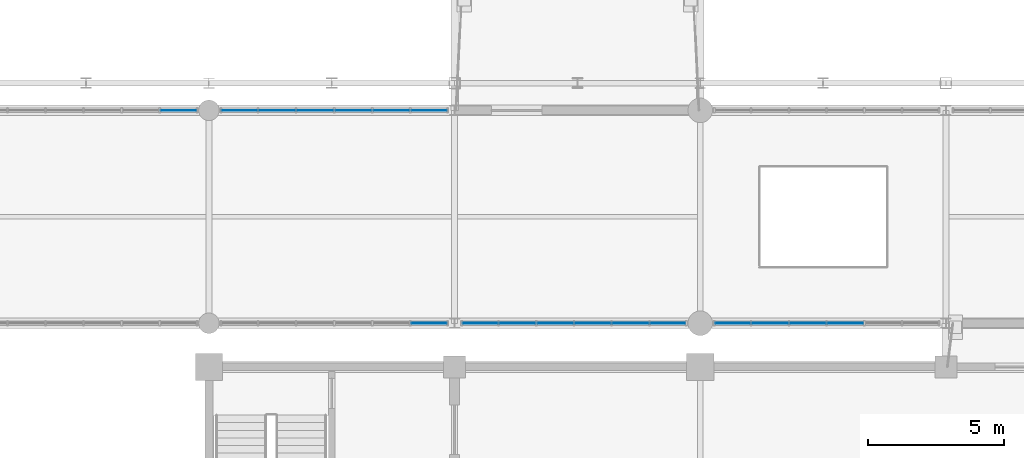
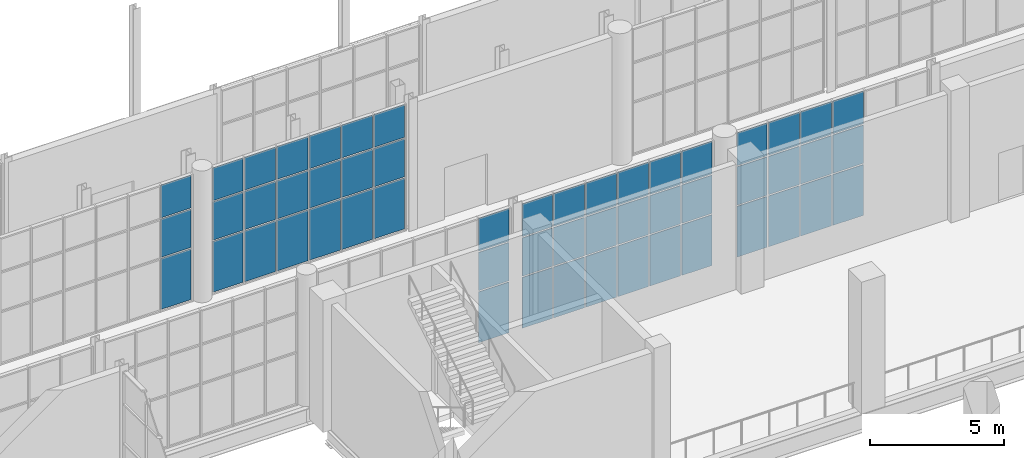
# One storey, part 98 of 159: 54 plates, 5 elements without a shape of their own.
"""IFC4 building model written with IfcOpenShell, lengths in metres."""

from ifc_helpers import new_model, si_unit, direction, frame, origin, origin_2d, place, context, subcontext, project, spatial, rectangle, extrude, material, layer, layer_set, type_object, element, aggregate, save


model = new_model("IFC4")

# Units and contexts
model_context = context("Model", 3, precision=1e-05, world=origin(), true_north=direction((0.0, 1.0)))
body_context = subcontext(model_context, "Body", "Model", "MODEL_VIEW")
ifc_project = project(units=[si_unit("LENGTHUNIT", "METRE"), si_unit("AREAUNIT", "SQUARE_METRE"), si_unit("VOLUMEUNIT", "CUBIC_METRE"), si_unit("PLANEANGLEUNIT", "RADIAN"), si_unit("MASSUNIT", "GRAM", prefix="KILO")], contexts=[model_context])

# Site, building, storey
site_placement = place(None, origin())
site = spatial("IfcSite", under=ifc_project, at=site_placement, CompositionType="ELEMENT")
building_placement = place(site_placement, origin())
building = spatial("IfcBuilding", under=site, at=building_placement, Name="Cazmaro Siding Exhibition Halls", CompositionType="ELEMENT")
storey_placement = place(building_placement, frame((0.0, 0.0, 6.0)))
storey = spatial("IfcBuildingStorey", under=building, at=storey_placement, Name="L01", CompositionType="ELEMENT", Elevation=6.0)

# Curtain wall, plates
ifc_material_1 = material(Name="Anodized Bronze Aluminum and Solar-Control Low-E Glazing", Category="aluminium")
ifc_layer_1 = layer(ifc_material_1, 0.179931640625)
ifc_layer_set_1 = layer_set([ifc_layer_1], Name="Anodized Bronze Aluminum and Solar-Control Low-E Glazing")
curtain_wall_type = type_object("IfcCurtainWallType", Name="CWS-01", PredefinedType="USERDEFINED", material=ifc_layer_set_1)
curtain_wall_1_placement = place(storey_placement, origin())
curtain_wall_1 = element("IfcCurtainWall", 1, at=curtain_wall_1_placement, inside=storey, type_object=curtain_wall_type, Name="Glazed Curtain Wall CWS-01 CW-159", ObjectType="GLAZED CURTAIN WALL", PredefinedType="USERDEFINED")
ifc_material_2 = material(Name="Solar-Control Low-E Double Insulating Glass", Category="glass")
ifc_layer_2 = layer(ifc_material_2, 0.02392578125)
ifc_layer_set_2 = layer_set([ifc_layer_2], Name="Solar-Control Low-E Double Insulating Glass")
plate_type = type_object("IfcPlateType", Name="CWP-01", PredefinedType="CURTAIN_PANEL", material=ifc_layer_set_2)
plate_1_placement = place(storey_placement, frame((70.880126953125, 63.0, 0.06005859375), z_axis=(0.0, 0.0, 1.0), x_axis=(-1.0, 0.0, 0.0)))
plate_1 = element("IfcPlate", 2, at=plate_1_placement, type_object=plate_type, Name="CWS-01 panel 1.1", PredefinedType="CURTAIN_PANEL", context=body_context, shape_type="SweptSolid", body=[
    extrude(rectangle(XDim=1.3037109375, YDim=0.02392578125, at=origin_2d()), origin(), (0.0, 0.0, 1.0), 2.31005859375),
])
plate_2_placement = place(storey_placement, frame((70.880126953125, 63.0, 2.43017578125), z_axis=(0.0, 0.0, 1.0), x_axis=(-1.0, 0.0, 0.0)))
plate_2 = element("IfcPlate", 3, at=plate_2_placement, type_object=plate_type, Name="CWS-01 panel 1.2", PredefinedType="CURTAIN_PANEL", context=body_context, shape_type="SweptSolid", body=[
    extrude(rectangle(XDim=1.3037109375, YDim=0.02392578125, at=origin_2d()), origin(), (0.0, 0.0, 1.0), 1.739990234375),
])
plate_3_placement = place(storey_placement, frame((70.880126953125, 63.0, 4.22998046875), z_axis=(0.0, 0.0, 1.0), x_axis=(-1.0, 0.0, 0.0)))
plate_3 = element("IfcPlate", 4, at=plate_3_placement, type_object=plate_type, Name="CWS-01 panel 1.3", PredefinedType="CURTAIN_PANEL", context=body_context, shape_type="SweptSolid", body=[
    extrude(rectangle(XDim=1.3037109375, YDim=0.02392578125, at=origin_2d()), origin(), (0.0, 0.0, 1.0), 1.489990234375),
])
aggregate(curtain_wall_1, [plate_1, plate_2, plate_3])

curtain_wall_2_placement = place(storey_placement, origin())
curtain_wall_2 = element("IfcCurtainWall", 5, at=curtain_wall_2_placement, inside=storey, type_object=curtain_wall_type, Name="Glazed Curtain Wall CWS-01 CW-163", ObjectType="GLAZED CURTAIN WALL", PredefinedType="USERDEFINED")
plate_4_placement = place(storey_placement, frame((80.05810546875, 55.199951171875, 0.06005859375), z_axis=(0.0, 0.0, 1.0), x_axis=(1.0, 0.0, 0.0)))
plate_4 = element("IfcPlate", 6, at=plate_4_placement, type_object=plate_type, Name="CWS-01 panel 6.1", PredefinedType="CURTAIN_PANEL", context=body_context, shape_type="SweptSolid", body=[
    extrude(rectangle(XDim=1.3037109375, YDim=0.02392578125, at=origin_2d()), origin(), (0.0, 0.0, 1.0), 2.31005859375),
])
plate_5_placement = place(storey_placement, frame((80.05810546875, 55.199951171875, 2.43017578125), z_axis=(0.0, 0.0, 1.0), x_axis=(1.0, 0.0, 0.0)))
plate_5 = element("IfcPlate", 7, at=plate_5_placement, type_object=plate_type, Name="CWS-01 panel 6.2", PredefinedType="CURTAIN_PANEL", context=body_context, shape_type="SweptSolid", body=[
    extrude(rectangle(XDim=1.3037109375, YDim=0.02392578125, at=origin_2d()), origin(), (0.0, 0.0, 1.0), 1.739990234375),
])
plate_6_placement = place(storey_placement, frame((80.05810546875, 55.199951171875, 4.22998046875), z_axis=(0.0, 0.0, 1.0), x_axis=(1.0, 0.0, 0.0)))
plate_6 = element("IfcPlate", 8, at=plate_6_placement, type_object=plate_type, Name="CWS-01 panel 6.3", PredefinedType="CURTAIN_PANEL", context=body_context, shape_type="SweptSolid", body=[
    extrude(rectangle(XDim=1.3037109375, YDim=0.02392578125, at=origin_2d()), origin(), (0.0, 0.0, 1.0), 1.489990234375),
])
aggregate(curtain_wall_2, [plate_4, plate_5, plate_6])

curtain_wall_3_placement = place(storey_placement, origin())
curtain_wall_3 = element("IfcCurtainWall", 9, at=curtain_wall_3_placement, inside=storey, type_object=curtain_wall_type, Name="Glazed Curtain Wall CWS-01 CW-165", ObjectType="GLAZED CURTAIN WALL", PredefinedType="USERDEFINED")
plate_7_placement = place(storey_placement, frame((80.05810546875, 63.0, 0.06005859375), z_axis=(0.0, 0.0, 1.0), x_axis=(-1.0, 0.0, 0.0)))
plate_7 = element("IfcPlate", 10, at=plate_7_placement, type_object=plate_type, Name="CWS-01 panel 1.1", PredefinedType="CURTAIN_PANEL", context=body_context, shape_type="SweptSolid", body=[
    extrude(rectangle(XDim=1.3037109375, YDim=0.02392578125, at=origin_2d()), origin(), (0.0, 0.0, 1.0), 2.31005859375),
])
plate_8_placement = place(storey_placement, frame((80.05810546875, 63.0, 2.43017578125), z_axis=(0.0, 0.0, 1.0), x_axis=(-1.0, 0.0, 0.0)))
plate_8 = element("IfcPlate", 11, at=plate_8_placement, type_object=plate_type, Name="CWS-01 panel 1.2", PredefinedType="CURTAIN_PANEL", context=body_context, shape_type="SweptSolid", body=[
    extrude(rectangle(XDim=1.3037109375, YDim=0.02392578125, at=origin_2d()), origin(), (0.0, 0.0, 1.0), 1.739990234375),
])
plate_9_placement = place(storey_placement, frame((80.05810546875, 63.0, 4.22998046875), z_axis=(0.0, 0.0, 1.0), x_axis=(-1.0, 0.0, 0.0)))
plate_9 = element("IfcPlate", 12, at=plate_9_placement, type_object=plate_type, Name="CWS-01 panel 1.3", PredefinedType="CURTAIN_PANEL", context=body_context, shape_type="SweptSolid", body=[
    extrude(rectangle(XDim=1.3037109375, YDim=0.02392578125, at=origin_2d()), origin(), (0.0, 0.0, 1.0), 1.489990234375),
])
plate_10_placement = place(storey_placement, frame((78.679443359375, 63.0, 0.06005859375), z_axis=(0.0, 0.0, 1.0), x_axis=(-1.0, 0.0, 0.0)))
plate_10 = element("IfcPlate", 13, at=plate_10_placement, type_object=plate_type, Name="CWS-01 panel 2.1", PredefinedType="CURTAIN_PANEL", context=body_context, shape_type="SweptSolid", body=[
    extrude(rectangle(XDim=1.333740234375, YDim=0.02392578125, at=origin_2d()), origin(), (0.0, 0.0, 1.0), 2.31005859375),
])
plate_11_placement = place(storey_placement, frame((78.679443359375, 63.0, 2.43017578125), z_axis=(0.0, 0.0, 1.0), x_axis=(-1.0, 0.0, 0.0)))
plate_11 = element("IfcPlate", 14, at=plate_11_placement, type_object=plate_type, Name="CWS-01 panel 2.2", PredefinedType="CURTAIN_PANEL", context=body_context, shape_type="SweptSolid", body=[
    extrude(rectangle(XDim=1.333740234375, YDim=0.02392578125, at=origin_2d()), origin(), (0.0, 0.0, 1.0), 1.739990234375),
])
plate_12_placement = place(storey_placement, frame((78.679443359375, 63.0, 4.22998046875), z_axis=(0.0, 0.0, 1.0), x_axis=(-1.0, 0.0, 0.0)))
plate_12 = element("IfcPlate", 15, at=plate_12_placement, type_object=plate_type, Name="CWS-01 panel 2.3", PredefinedType="CURTAIN_PANEL", context=body_context, shape_type="SweptSolid", body=[
    extrude(rectangle(XDim=1.333740234375, YDim=0.02392578125, at=origin_2d()), origin(), (0.0, 0.0, 1.0), 1.489990234375),
])
plate_13_placement = place(storey_placement, frame((77.285888671875, 63.0, 0.06005859375), z_axis=(0.0, 0.0, 1.0), x_axis=(-1.0, 0.0, 0.0)))
plate_13 = element("IfcPlate", 16, at=plate_13_placement, type_object=plate_type, Name="CWS-01 panel 3.1", PredefinedType="CURTAIN_PANEL", context=body_context, shape_type="SweptSolid", body=[
    extrude(rectangle(XDim=1.333740234375, YDim=0.02392578125, at=origin_2d()), origin(), (0.0, 0.0, 1.0), 2.31005859375),
])
plate_14_placement = place(storey_placement, frame((77.285888671875, 63.0, 2.43017578125), z_axis=(0.0, 0.0, 1.0), x_axis=(-1.0, 0.0, 0.0)))
plate_14 = element("IfcPlate", 17, at=plate_14_placement, type_object=plate_type, Name="CWS-01 panel 3.2", PredefinedType="CURTAIN_PANEL", context=body_context, shape_type="SweptSolid", body=[
    extrude(rectangle(XDim=1.333740234375, YDim=0.02392578125, at=origin_2d()), origin(), (0.0, 0.0, 1.0), 1.739990234375),
])
plate_15_placement = place(storey_placement, frame((77.285888671875, 63.0, 4.22998046875), z_axis=(0.0, 0.0, 1.0), x_axis=(-1.0, 0.0, 0.0)))
plate_15 = element("IfcPlate", 18, at=plate_15_placement, type_object=plate_type, Name="CWS-01 panel 3.3", PredefinedType="CURTAIN_PANEL", context=body_context, shape_type="SweptSolid", body=[
    extrude(rectangle(XDim=1.333740234375, YDim=0.02392578125, at=origin_2d()), origin(), (0.0, 0.0, 1.0), 1.489990234375),
])
plate_16_placement = place(storey_placement, frame((75.89208984375, 63.0, 0.06005859375), z_axis=(0.0, 0.0, 1.0), x_axis=(-1.0, 0.0, 0.0)))
plate_16 = element("IfcPlate", 19, at=plate_16_placement, type_object=plate_type, Name="CWS-01 panel 4.1", PredefinedType="CURTAIN_PANEL", context=body_context, shape_type="SweptSolid", body=[
    extrude(rectangle(XDim=1.333740234375, YDim=0.02392578125, at=origin_2d()), origin(), (0.0, 0.0, 1.0), 2.31005859375),
])
plate_17_placement = place(storey_placement, frame((75.89208984375, 63.0, 2.43017578125), z_axis=(0.0, 0.0, 1.0), x_axis=(-1.0, 0.0, 0.0)))
plate_17 = element("IfcPlate", 20, at=plate_17_placement, type_object=plate_type, Name="CWS-01 panel 4.2", PredefinedType="CURTAIN_PANEL", context=body_context, shape_type="SweptSolid", body=[
    extrude(rectangle(XDim=1.333740234375, YDim=0.02392578125, at=origin_2d()), origin(), (0.0, 0.0, 1.0), 1.739990234375),
])
plate_18_placement = place(storey_placement, frame((75.89208984375, 63.0, 4.22998046875), z_axis=(0.0, 0.0, 1.0), x_axis=(-1.0, 0.0, 0.0)))
plate_18 = element("IfcPlate", 21, at=plate_18_placement, type_object=plate_type, Name="CWS-01 panel 4.3", PredefinedType="CURTAIN_PANEL", context=body_context, shape_type="SweptSolid", body=[
    extrude(rectangle(XDim=1.333740234375, YDim=0.02392578125, at=origin_2d()), origin(), (0.0, 0.0, 1.0), 1.489990234375),
])
plate_19_placement = place(storey_placement, frame((74.49853515625, 63.0, 0.06005859375), z_axis=(0.0, 0.0, 1.0), x_axis=(-1.0, 0.0, 0.0)))
plate_19 = element("IfcPlate", 22, at=plate_19_placement, type_object=plate_type, Name="CWS-01 panel 5.1", PredefinedType="CURTAIN_PANEL", context=body_context, shape_type="SweptSolid", body=[
    extrude(rectangle(XDim=1.333740234375, YDim=0.02392578125, at=origin_2d()), origin(), (0.0, 0.0, 1.0), 2.31005859375),
])
plate_20_placement = place(storey_placement, frame((74.49853515625, 63.0, 2.43017578125), z_axis=(0.0, 0.0, 1.0), x_axis=(-1.0, 0.0, 0.0)))
plate_20 = element("IfcPlate", 23, at=plate_20_placement, type_object=plate_type, Name="CWS-01 panel 5.2", PredefinedType="CURTAIN_PANEL", context=body_context, shape_type="SweptSolid", body=[
    extrude(rectangle(XDim=1.333740234375, YDim=0.02392578125, at=origin_2d()), origin(), (0.0, 0.0, 1.0), 1.739990234375),
])
plate_21_placement = place(storey_placement, frame((74.49853515625, 63.0, 4.22998046875), z_axis=(0.0, 0.0, 1.0), x_axis=(-1.0, 0.0, 0.0)))
plate_21 = element("IfcPlate", 24, at=plate_21_placement, type_object=plate_type, Name="CWS-01 panel 5.3", PredefinedType="CURTAIN_PANEL", context=body_context, shape_type="SweptSolid", body=[
    extrude(rectangle(XDim=1.333740234375, YDim=0.02392578125, at=origin_2d()), origin(), (0.0, 0.0, 1.0), 1.489990234375),
])
plate_22_placement = place(storey_placement, frame((73.119873046875, 63.0, 0.06005859375), z_axis=(0.0, 0.0, 1.0), x_axis=(-1.0, 0.0, 0.0)))
plate_22 = element("IfcPlate", 25, at=plate_22_placement, type_object=plate_type, Name="CWS-01 panel 6.1", PredefinedType="CURTAIN_PANEL", context=body_context, shape_type="SweptSolid", body=[
    extrude(rectangle(XDim=1.3037109375, YDim=0.02392578125, at=origin_2d()), origin(), (0.0, 0.0, 1.0), 2.31005859375),
])
plate_23_placement = place(storey_placement, frame((73.119873046875, 63.0, 2.43017578125), z_axis=(0.0, 0.0, 1.0), x_axis=(-1.0, 0.0, 0.0)))
plate_23 = element("IfcPlate", 26, at=plate_23_placement, type_object=plate_type, Name="CWS-01 panel 6.2", PredefinedType="CURTAIN_PANEL", context=body_context, shape_type="SweptSolid", body=[
    extrude(rectangle(XDim=1.3037109375, YDim=0.02392578125, at=origin_2d()), origin(), (0.0, 0.0, 1.0), 1.739990234375),
])
plate_24_placement = place(storey_placement, frame((73.119873046875, 63.0, 4.22998046875), z_axis=(0.0, 0.0, 1.0), x_axis=(-1.0, 0.0, 0.0)))
plate_24 = element("IfcPlate", 27, at=plate_24_placement, type_object=plate_type, Name="CWS-01 panel 6.3", PredefinedType="CURTAIN_PANEL", context=body_context, shape_type="SweptSolid", body=[
    extrude(rectangle(XDim=1.3037109375, YDim=0.02392578125, at=origin_2d()), origin(), (0.0, 0.0, 1.0), 1.489990234375),
])
aggregate(curtain_wall_3, [plate_7, plate_8, plate_9, plate_10, plate_11, plate_12, plate_13, plate_14, plate_15, plate_16, plate_17, plate_18, plate_19, plate_20, plate_21, plate_22, plate_23, plate_24])

curtain_wall_4_placement = place(storey_placement, origin())
curtain_wall_4 = element("IfcCurtainWall", 28, at=curtain_wall_4_placement, inside=storey, type_object=curtain_wall_type, Name="Glazed Curtain Wall CWS-01 CW-168", ObjectType="GLAZED CURTAIN WALL", PredefinedType="USERDEFINED")
plate_25_placement = place(storey_placement, frame((81.935546875, 55.199951171875, 0.06005859375), z_axis=(0.0, 0.0, 1.0), x_axis=(1.0, 0.0, 0.0)))
plate_25 = element("IfcPlate", 29, at=plate_25_placement, type_object=plate_type, Name="CWS-01 panel 1.1", PredefinedType="CURTAIN_PANEL", context=body_context, shape_type="SweptSolid", body=[
    extrude(rectangle(XDim=1.291259765625, YDim=0.02392578125, at=origin_2d()), origin(), (0.0, 0.0, 1.0), 2.31005859375),
])
plate_26_placement = place(storey_placement, frame((81.935546875, 55.199951171875, 2.43017578125), z_axis=(0.0, 0.0, 1.0), x_axis=(1.0, 0.0, 0.0)))
plate_26 = element("IfcPlate", 30, at=plate_26_placement, type_object=plate_type, Name="CWS-01 panel 1.2", PredefinedType="CURTAIN_PANEL", context=body_context, shape_type="SweptSolid", body=[
    extrude(rectangle(XDim=1.291259765625, YDim=0.02392578125, at=origin_2d()), origin(), (0.0, 0.0, 1.0), 1.739990234375),
])
plate_27_placement = place(storey_placement, frame((81.935546875, 55.199951171875, 4.22998046875), z_axis=(0.0, 0.0, 1.0), x_axis=(1.0, 0.0, 0.0)))
plate_27 = element("IfcPlate", 31, at=plate_27_placement, type_object=plate_type, Name="CWS-01 panel 1.3", PredefinedType="CURTAIN_PANEL", context=body_context, shape_type="SweptSolid", body=[
    extrude(rectangle(XDim=1.291259765625, YDim=0.02392578125, at=origin_2d()), origin(), (0.0, 0.0, 1.0), 1.489990234375),
])
plate_28_placement = place(storey_placement, frame((83.3017578125, 55.199951171875, 0.06005859375), z_axis=(0.0, 0.0, 1.0), x_axis=(1.0, 0.0, 0.0)))
plate_28 = element("IfcPlate", 32, at=plate_28_placement, type_object=plate_type, Name="CWS-01 panel 2.1", PredefinedType="CURTAIN_PANEL", context=body_context, shape_type="SweptSolid", body=[
    extrude(rectangle(XDim=1.321044921875, YDim=0.02392578125, at=origin_2d()), origin(), (0.0, 0.0, 1.0), 2.31005859375),
])
plate_29_placement = place(storey_placement, frame((83.3017578125, 55.199951171875, 2.43017578125), z_axis=(0.0, 0.0, 1.0), x_axis=(1.0, 0.0, 0.0)))
plate_29 = element("IfcPlate", 33, at=plate_29_placement, type_object=plate_type, Name="CWS-01 panel 2.2", PredefinedType="CURTAIN_PANEL", context=body_context, shape_type="SweptSolid", body=[
    extrude(rectangle(XDim=1.321044921875, YDim=0.02392578125, at=origin_2d()), origin(), (0.0, 0.0, 1.0), 1.739990234375),
])
plate_30_placement = place(storey_placement, frame((83.3017578125, 55.199951171875, 4.22998046875), z_axis=(0.0, 0.0, 1.0), x_axis=(1.0, 0.0, 0.0)))
plate_30 = element("IfcPlate", 34, at=plate_30_placement, type_object=plate_type, Name="CWS-01 panel 2.3", PredefinedType="CURTAIN_PANEL", context=body_context, shape_type="SweptSolid", body=[
    extrude(rectangle(XDim=1.321044921875, YDim=0.02392578125, at=origin_2d()), origin(), (0.0, 0.0, 1.0), 1.489990234375),
])
plate_31_placement = place(storey_placement, frame((84.682861328125, 55.199951171875, 0.06005859375), z_axis=(0.0, 0.0, 1.0), x_axis=(1.0, 0.0, 0.0)))
plate_31 = element("IfcPlate", 35, at=plate_31_placement, type_object=plate_type, Name="CWS-01 panel 3.1", PredefinedType="CURTAIN_PANEL", context=body_context, shape_type="SweptSolid", body=[
    extrude(rectangle(XDim=1.321044921875, YDim=0.02392578125, at=origin_2d()), origin(), (0.0, 0.0, 1.0), 2.31005859375),
])
plate_32_placement = place(storey_placement, frame((84.682861328125, 55.199951171875, 2.43017578125), z_axis=(0.0, 0.0, 1.0), x_axis=(1.0, 0.0, 0.0)))
plate_32 = element("IfcPlate", 36, at=plate_32_placement, type_object=plate_type, Name="CWS-01 panel 3.2", PredefinedType="CURTAIN_PANEL", context=body_context, shape_type="SweptSolid", body=[
    extrude(rectangle(XDim=1.321044921875, YDim=0.02392578125, at=origin_2d()), origin(), (0.0, 0.0, 1.0), 1.739990234375),
])
plate_33_placement = place(storey_placement, frame((84.682861328125, 55.199951171875, 4.22998046875), z_axis=(0.0, 0.0, 1.0), x_axis=(1.0, 0.0, 0.0)))
plate_33 = element("IfcPlate", 37, at=plate_33_placement, type_object=plate_type, Name="CWS-01 panel 3.3", PredefinedType="CURTAIN_PANEL", context=body_context, shape_type="SweptSolid", body=[
    extrude(rectangle(XDim=1.321044921875, YDim=0.02392578125, at=origin_2d()), origin(), (0.0, 0.0, 1.0), 1.489990234375),
])
plate_34_placement = place(storey_placement, frame((86.06396484375, 55.199951171875, 0.06005859375), z_axis=(0.0, 0.0, 1.0), x_axis=(1.0, 0.0, 0.0)))
plate_34 = element("IfcPlate", 38, at=plate_34_placement, type_object=plate_type, Name="CWS-01 panel 4.1", PredefinedType="CURTAIN_PANEL", context=body_context, shape_type="SweptSolid", body=[
    extrude(rectangle(XDim=1.321044921875, YDim=0.02392578125, at=origin_2d()), origin(), (0.0, 0.0, 1.0), 2.31005859375),
])
plate_35_placement = place(storey_placement, frame((86.06396484375, 55.199951171875, 2.43017578125), z_axis=(0.0, 0.0, 1.0), x_axis=(1.0, 0.0, 0.0)))
plate_35 = element("IfcPlate", 39, at=plate_35_placement, type_object=plate_type, Name="CWS-01 panel 4.2", PredefinedType="CURTAIN_PANEL", context=body_context, shape_type="SweptSolid", body=[
    extrude(rectangle(XDim=1.321044921875, YDim=0.02392578125, at=origin_2d()), origin(), (0.0, 0.0, 1.0), 1.739990234375),
])
plate_36_placement = place(storey_placement, frame((86.06396484375, 55.199951171875, 4.22998046875), z_axis=(0.0, 0.0, 1.0), x_axis=(1.0, 0.0, 0.0)))
plate_36 = element("IfcPlate", 40, at=plate_36_placement, type_object=plate_type, Name="CWS-01 panel 4.3", PredefinedType="CURTAIN_PANEL", context=body_context, shape_type="SweptSolid", body=[
    extrude(rectangle(XDim=1.321044921875, YDim=0.02392578125, at=origin_2d()), origin(), (0.0, 0.0, 1.0), 1.489990234375),
])
plate_37_placement = place(storey_placement, frame((87.4453125, 55.199951171875, 0.06005859375), z_axis=(0.0, 0.0, 1.0), x_axis=(1.0, 0.0, 0.0)))
plate_37 = element("IfcPlate", 41, at=plate_37_placement, type_object=plate_type, Name="CWS-01 panel 5.1", PredefinedType="CURTAIN_PANEL", context=body_context, shape_type="SweptSolid", body=[
    extrude(rectangle(XDim=1.321044921875, YDim=0.02392578125, at=origin_2d()), origin(), (0.0, 0.0, 1.0), 2.31005859375),
])
plate_38_placement = place(storey_placement, frame((87.4453125, 55.199951171875, 2.43017578125), z_axis=(0.0, 0.0, 1.0), x_axis=(1.0, 0.0, 0.0)))
plate_38 = element("IfcPlate", 42, at=plate_38_placement, type_object=plate_type, Name="CWS-01 panel 5.2", PredefinedType="CURTAIN_PANEL", context=body_context, shape_type="SweptSolid", body=[
    extrude(rectangle(XDim=1.321044921875, YDim=0.02392578125, at=origin_2d()), origin(), (0.0, 0.0, 1.0), 1.739990234375),
])
plate_39_placement = place(storey_placement, frame((87.4453125, 55.199951171875, 4.22998046875), z_axis=(0.0, 0.0, 1.0), x_axis=(1.0, 0.0, 0.0)))
plate_39 = element("IfcPlate", 43, at=plate_39_placement, type_object=plate_type, Name="CWS-01 panel 5.3", PredefinedType="CURTAIN_PANEL", context=body_context, shape_type="SweptSolid", body=[
    extrude(rectangle(XDim=1.321044921875, YDim=0.02392578125, at=origin_2d()), origin(), (0.0, 0.0, 1.0), 1.489990234375),
])
plate_40_placement = place(storey_placement, frame((88.8115234375, 55.199951171875, 0.06005859375), z_axis=(0.0, 0.0, 1.0), x_axis=(1.0, 0.0, 0.0)))
plate_40 = element("IfcPlate", 44, at=plate_40_placement, type_object=plate_type, Name="CWS-01 panel 6.1", PredefinedType="CURTAIN_PANEL", context=body_context, shape_type="SweptSolid", body=[
    extrude(rectangle(XDim=1.291259765625, YDim=0.02392578125, at=origin_2d()), origin(), (0.0, 0.0, 1.0), 2.31005859375),
])
plate_41_placement = place(storey_placement, frame((88.8115234375, 55.199951171875, 2.43017578125), z_axis=(0.0, 0.0, 1.0), x_axis=(1.0, 0.0, 0.0)))
plate_41 = element("IfcPlate", 45, at=plate_41_placement, type_object=plate_type, Name="CWS-01 panel 6.2", PredefinedType="CURTAIN_PANEL", context=body_context, shape_type="SweptSolid", body=[
    extrude(rectangle(XDim=1.291259765625, YDim=0.02392578125, at=origin_2d()), origin(), (0.0, 0.0, 1.0), 1.739990234375),
])
plate_42_placement = place(storey_placement, frame((88.8115234375, 55.199951171875, 4.22998046875), z_axis=(0.0, 0.0, 1.0), x_axis=(1.0, 0.0, 0.0)))
plate_42 = element("IfcPlate", 46, at=plate_42_placement, type_object=plate_type, Name="CWS-01 panel 6.3", PredefinedType="CURTAIN_PANEL", context=body_context, shape_type="SweptSolid", body=[
    extrude(rectangle(XDim=1.291259765625, YDim=0.02392578125, at=origin_2d()), origin(), (0.0, 0.0, 1.0), 1.489990234375),
])
aggregate(curtain_wall_4, [plate_25, plate_26, plate_27, plate_28, plate_29, plate_30, plate_31, plate_32, plate_33, plate_34, plate_35, plate_36, plate_37, plate_38, plate_39, plate_40, plate_41, plate_42])

curtain_wall_5_placement = place(storey_placement, origin())
curtain_wall_5 = element("IfcCurtainWall", 47, at=curtain_wall_5_placement, inside=storey, type_object=curtain_wall_type, Name="Glazed Curtain Wall CWS-01 CW-172", ObjectType="GLAZED CURTAIN WALL", PredefinedType="USERDEFINED")
plate_43_placement = place(storey_placement, frame((91.1884765625, 55.199951171875, 0.06005859375), z_axis=(0.0, 0.0, 1.0), x_axis=(1.0, 0.0, 0.0)))
plate_43 = element("IfcPlate", 48, at=plate_43_placement, type_object=plate_type, Name="CWS-01 panel 1.1", PredefinedType="CURTAIN_PANEL", context=body_context, shape_type="SweptSolid", body=[
    extrude(rectangle(XDim=1.291259765625, YDim=0.02392578125, at=origin_2d()), origin(), (0.0, 0.0, 1.0), 2.31005859375),
])
plate_44_placement = place(storey_placement, frame((91.1884765625, 55.199951171875, 2.43017578125), z_axis=(0.0, 0.0, 1.0), x_axis=(1.0, 0.0, 0.0)))
plate_44 = element("IfcPlate", 49, at=plate_44_placement, type_object=plate_type, Name="CWS-01 panel 1.2", PredefinedType="CURTAIN_PANEL", context=body_context, shape_type="SweptSolid", body=[
    extrude(rectangle(XDim=1.291259765625, YDim=0.02392578125, at=origin_2d()), origin(), (0.0, 0.0, 1.0), 1.739990234375),
])
plate_45_placement = place(storey_placement, frame((91.1884765625, 55.199951171875, 4.22998046875), z_axis=(0.0, 0.0, 1.0), x_axis=(1.0, 0.0, 0.0)))
plate_45 = element("IfcPlate", 50, at=plate_45_placement, type_object=plate_type, Name="CWS-01 panel 1.3", PredefinedType="CURTAIN_PANEL", context=body_context, shape_type="SweptSolid", body=[
    extrude(rectangle(XDim=1.291259765625, YDim=0.02392578125, at=origin_2d()), origin(), (0.0, 0.0, 1.0), 1.489990234375),
])
plate_46_placement = place(storey_placement, frame((92.5546875, 55.199951171875, 0.06005859375), z_axis=(0.0, 0.0, 1.0), x_axis=(1.0, 0.0, 0.0)))
plate_46 = element("IfcPlate", 51, at=plate_46_placement, type_object=plate_type, Name="CWS-01 panel 2.1", PredefinedType="CURTAIN_PANEL", context=body_context, shape_type="SweptSolid", body=[
    extrude(rectangle(XDim=1.321044921875, YDim=0.02392578125, at=origin_2d()), origin(), (0.0, 0.0, 1.0), 2.31005859375),
])
plate_47_placement = place(storey_placement, frame((92.5546875, 55.199951171875, 2.43017578125), z_axis=(0.0, 0.0, 1.0), x_axis=(1.0, 0.0, 0.0)))
plate_47 = element("IfcPlate", 52, at=plate_47_placement, type_object=plate_type, Name="CWS-01 panel 2.2", PredefinedType="CURTAIN_PANEL", context=body_context, shape_type="SweptSolid", body=[
    extrude(rectangle(XDim=1.321044921875, YDim=0.02392578125, at=origin_2d()), origin(), (0.0, 0.0, 1.0), 1.739990234375),
])
plate_48_placement = place(storey_placement, frame((92.5546875, 55.199951171875, 4.22998046875), z_axis=(0.0, 0.0, 1.0), x_axis=(1.0, 0.0, 0.0)))
plate_48 = element("IfcPlate", 53, at=plate_48_placement, type_object=plate_type, Name="CWS-01 panel 2.3", PredefinedType="CURTAIN_PANEL", context=body_context, shape_type="SweptSolid", body=[
    extrude(rectangle(XDim=1.321044921875, YDim=0.02392578125, at=origin_2d()), origin(), (0.0, 0.0, 1.0), 1.489990234375),
])
plate_49_placement = place(storey_placement, frame((93.93603515625, 55.199951171875, 0.06005859375), z_axis=(0.0, 0.0, 1.0), x_axis=(1.0, 0.0, 0.0)))
plate_49 = element("IfcPlate", 54, at=plate_49_placement, type_object=plate_type, Name="CWS-01 panel 3.1", PredefinedType="CURTAIN_PANEL", context=body_context, shape_type="SweptSolid", body=[
    extrude(rectangle(XDim=1.321044921875, YDim=0.02392578125, at=origin_2d()), origin(), (0.0, 0.0, 1.0), 2.31005859375),
])
plate_50_placement = place(storey_placement, frame((93.93603515625, 55.199951171875, 2.43017578125), z_axis=(0.0, 0.0, 1.0), x_axis=(1.0, 0.0, 0.0)))
plate_50 = element("IfcPlate", 55, at=plate_50_placement, type_object=plate_type, Name="CWS-01 panel 3.2", PredefinedType="CURTAIN_PANEL", context=body_context, shape_type="SweptSolid", body=[
    extrude(rectangle(XDim=1.321044921875, YDim=0.02392578125, at=origin_2d()), origin(), (0.0, 0.0, 1.0), 1.739990234375),
])
plate_51_placement = place(storey_placement, frame((93.93603515625, 55.199951171875, 4.22998046875), z_axis=(0.0, 0.0, 1.0), x_axis=(1.0, 0.0, 0.0)))
plate_51 = element("IfcPlate", 56, at=plate_51_placement, type_object=plate_type, Name="CWS-01 panel 3.3", PredefinedType="CURTAIN_PANEL", context=body_context, shape_type="SweptSolid", body=[
    extrude(rectangle(XDim=1.321044921875, YDim=0.02392578125, at=origin_2d()), origin(), (0.0, 0.0, 1.0), 1.489990234375),
])
plate_52_placement = place(storey_placement, frame((95.317138671875, 55.199951171875, 0.06005859375), z_axis=(0.0, 0.0, 1.0), x_axis=(1.0, 0.0, 0.0)))
plate_52 = element("IfcPlate", 57, at=plate_52_placement, type_object=plate_type, Name="CWS-01 panel 4.1", PredefinedType="CURTAIN_PANEL", context=body_context, shape_type="SweptSolid", body=[
    extrude(rectangle(XDim=1.321044921875, YDim=0.02392578125, at=origin_2d()), origin(), (0.0, 0.0, 1.0), 2.31005859375),
])
plate_53_placement = place(storey_placement, frame((95.317138671875, 55.199951171875, 2.43017578125), z_axis=(0.0, 0.0, 1.0), x_axis=(1.0, 0.0, 0.0)))
plate_53 = element("IfcPlate", 58, at=plate_53_placement, type_object=plate_type, Name="CWS-01 panel 4.2", PredefinedType="CURTAIN_PANEL", context=body_context, shape_type="SweptSolid", body=[
    extrude(rectangle(XDim=1.321044921875, YDim=0.02392578125, at=origin_2d()), origin(), (0.0, 0.0, 1.0), 1.739990234375),
])
plate_54_placement = place(storey_placement, frame((95.317138671875, 55.199951171875, 4.22998046875), z_axis=(0.0, 0.0, 1.0), x_axis=(1.0, 0.0, 0.0)))
plate_54 = element("IfcPlate", 59, at=plate_54_placement, type_object=plate_type, Name="CWS-01 panel 4.3", PredefinedType="CURTAIN_PANEL", context=body_context, shape_type="SweptSolid", body=[
    extrude(rectangle(XDim=1.321044921875, YDim=0.02392578125, at=origin_2d()), origin(), (0.0, 0.0, 1.0), 1.489990234375),
])
aggregate(curtain_wall_5, [plate_43, plate_44, plate_45, plate_46, plate_47, plate_48, plate_49, plate_50, plate_51, plate_52, plate_53, plate_54])

save(model, "model.ifc")
